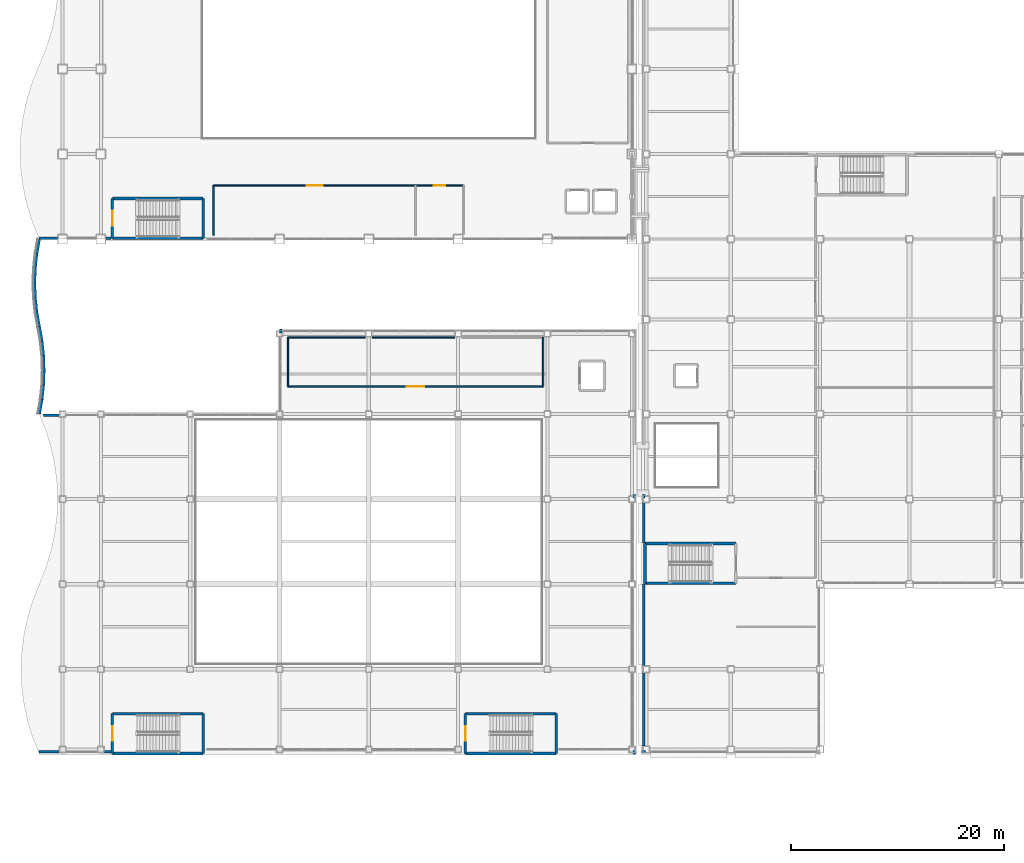
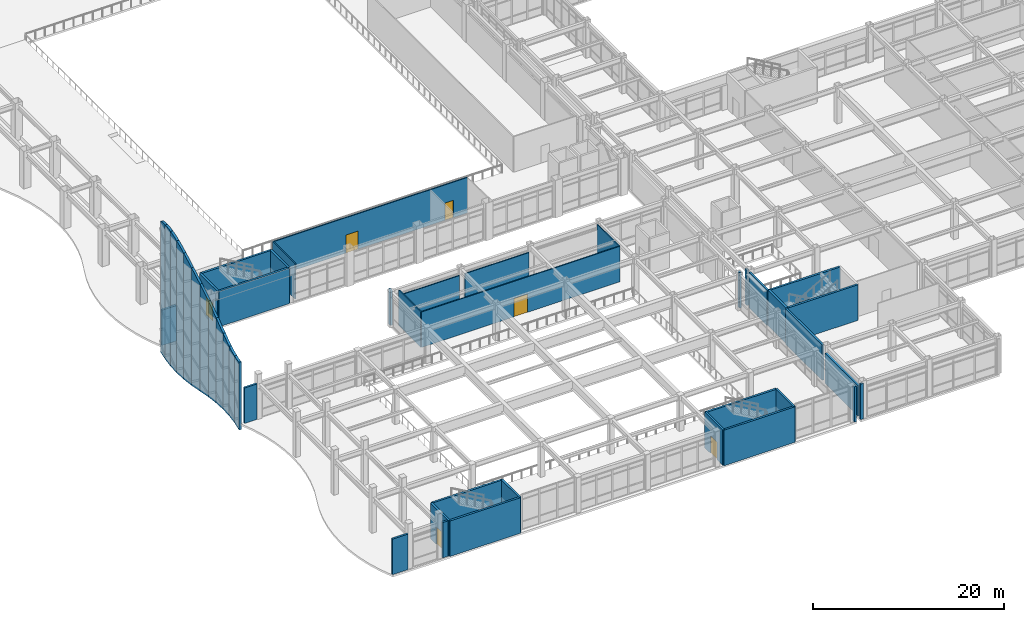
# One storey, part 142 of 172: 47 walls, 6 doors, 6 openings.
"""IFC4 building model written with IfcOpenShell, lengths in metres."""

from ifc_helpers import new_model, si_unit, direction, frame, frame_2d, origin, place, context, subcontext, project, spatial, polyline, rectangle, outline, extrude, material, layer, layer_set, type_object, element, fill, save


model = new_model("IFC4")

# Units and contexts
model_context = context("Model", 3, precision=1e-05, world=origin(), true_north=direction((0.0, 1.0)))
body_context = subcontext(model_context, "Body", "Model", "MODEL_VIEW")
ifc_project = project(units=[si_unit("LENGTHUNIT", "METRE"), si_unit("AREAUNIT", "SQUARE_METRE"), si_unit("VOLUMEUNIT", "CUBIC_METRE"), si_unit("PLANEANGLEUNIT", "RADIAN"), si_unit("MASSUNIT", "GRAM", prefix="KILO")], contexts=[model_context])

# Site, building, storey
site_placement = place(None, origin())
site = spatial("IfcSite", under=ifc_project, at=site_placement, CompositionType="ELEMENT")
building_placement = place(site_placement, origin())
building = spatial("IfcBuilding", under=site, at=building_placement, Name="Kazehara Bluff Congress Hotel", CompositionType="ELEMENT")
storey_placement = place(building_placement, frame((0.0, 0.0, 5.39990234375)))
storey = spatial("IfcBuildingStorey", under=building, at=storey_placement, Name="L01", CompositionType="ELEMENT", Elevation=5.39990234375)

# Wall, opening, door
ifc_material_1 = material(Name="Concrete C40/50", Category="concrete")
ifc_layer_1 = layer(ifc_material_1, 0.25)
ifc_layer_set_1 = layer_set([ifc_layer_1], Name="Concrete C40/50")
wall_type_1 = type_object("IfcWallType", Name="TP-CW-RC", PredefinedType="SHEAR", material=ifc_layer_set_1)
wall_1_placement = place(storey_placement, frame((9.47509765625, 48.52490234375, 0.0), z_axis=(0.0, 0.0, 1.0), x_axis=(0.0, 1.0, 0.0)))
wall_1 = element("IfcWall", 1, at=wall_1_placement, inside=storey, type_object=wall_type_1, Name="L01 ST-03 core wall near", PredefinedType="SHEAR", context=body_context, shape_type="SweptSolid", body=[
    extrude(rectangle(XDim=3.75, YDim=0.25, at=frame_2d((1.875, 0.0))), origin(), (0.0, 0.0, 1.0), 4.550048828125),
])
opening_1_placement = place(wall_1_placement, frame((1.175048828125, 0.0, 0.0)))
opening_1 = element("IfcOpeningElement", 2, at=opening_1_placement, cuts=wall_1, Name="Opening FD-03", PredefinedType="OPENING", context=body_context, shape_type="SweptSolid", body=[
    extrude(rectangle(XDim=1.39990234375, YDim=2.25, at=frame_2d((0.699951171875, 1.125))), frame((0.0, 0.135009765625, 0.0), z_axis=(0.0, -1.0, 0.0), x_axis=(1.0, 0.0, 0.0)), (0.0, 0.0, 1.0), 0.27001953125),
])
ifc_material_2 = material(Name="Fire-rated painted steel leaf", Category="steel")
door_type_1 = type_object("IfcDoorType", Name="TP-FD-03", OperationType="NOTDEFINED", PredefinedType="DOOR", material=ifc_material_2)
door_1_placement = place(opening_1_placement, origin())
door_1 = element("IfcDoor", 3, at=door_1_placement, inside=storey, type_object=door_type_1, Name="L01 ST-03 fire stair door", OperationType="SINGLE_SWING_RIGHT", OverallHeight=2.25, OverallWidth=1.39990234375, PredefinedType="DOOR", context=body_context, shape_type="SweptSolid", body=[
    extrude(rectangle(XDim=1.39990234375, YDim=2.25, at=frame_2d((0.699951171875, 1.125))), frame((0.0, 0.02490234375, 0.0), z_axis=(0.0, -1.0, 0.0), x_axis=(1.0, 0.0, 0.0)), (0.0, 0.0, 1.0), 0.050048828125),
])
fill(opening_1, door_1)

# Walls
wall_2_placement = place(storey_placement, frame((18.02490234375, 52.27490234375, 0.0), z_axis=(0.0, 0.0, 1.0), x_axis=(0.0, -1.0, 0.0)))
element("IfcWall", 4, at=wall_2_placement, inside=storey, type_object=wall_type_1, Name="L01 ST-03 core wall far", PredefinedType="SHEAR", context=body_context, shape_type="SweptSolid", body=[
    extrude(rectangle(XDim=3.75, YDim=0.25, at=frame_2d((1.875, 0.0))), origin(), (0.0, 0.0, 1.0), 4.550048828125),
])
for number, where, z_axis, x_axis, name in (
    (5, (18.02490234375, 48.52490234375, 0.0), (0.0, 0.0, 1.0), (-1.0, 0.0, 0.0), "L01 ST-03 core wall left"),
    (6, (9.47509765625, 52.27490234375, 0.0), (0.0, 0.0, 1.0), (1.0, 0.0, 0.0), "L01 ST-03 core wall right"),
):
    element("IfcWall", number, at=place(storey_placement, frame(where, z_axis=z_axis, x_axis=x_axis)), inside=storey, type_object=wall_type_1, Name=name, PredefinedType="SHEAR", context=body_context, shape_type="SweptSolid", body=[
        extrude(rectangle(XDim=8.5498046875, YDim=0.25, at=frame_2d((4.27490234375, 0.0))), origin(), (0.0, 0.0, 1.0), 4.550048828125),
    ])

# Wall, opening, door
wall_3_placement = place(storey_placement, frame((9.47509765625, 0.074951171875, 0.0), z_axis=(0.0, 0.0, 1.0), x_axis=(0.0, 1.0, 0.0)))
wall_3 = element("IfcWall", 7, at=wall_3_placement, inside=storey, type_object=wall_type_1, Name="L01 ST-04 core wall near", PredefinedType="SHEAR", context=body_context, shape_type="SweptSolid", body=[
    extrude(rectangle(XDim=3.75, YDim=0.25, at=frame_2d((1.875, 0.0))), origin(), (0.0, 0.0, 1.0), 4.550048828125),
])
opening_2_placement = place(wall_3_placement, frame((1.175048828125, 0.0, 0.0)))
opening_2 = element("IfcOpeningElement", 8, at=opening_2_placement, cuts=wall_3, Name="Opening FD-03", PredefinedType="OPENING", context=body_context, shape_type="SweptSolid", body=[
    extrude(rectangle(XDim=1.39990234375, YDim=2.25, at=frame_2d((0.699951171875, 1.125))), frame((0.0, 0.135009765625, 0.0), z_axis=(0.0, -1.0, 0.0), x_axis=(1.0, 0.0, 0.0)), (0.0, 0.0, 1.0), 0.27001953125),
])
door_2_placement = place(opening_2_placement, origin())
door_2 = element("IfcDoor", 9, at=door_2_placement, inside=storey, type_object=door_type_1, Name="L01 ST-04 fire stair door", OperationType="SINGLE_SWING_LEFT", OverallHeight=2.25, OverallWidth=1.39990234375, PredefinedType="DOOR", context=body_context, shape_type="SweptSolid", body=[
    extrude(rectangle(XDim=1.39990234375, YDim=2.25, at=frame_2d((0.699951171875, 1.125))), frame((0.0, 0.02490234375, 0.0), z_axis=(0.0, -1.0, 0.0), x_axis=(1.0, 0.0, 0.0)), (0.0, 0.0, 1.0), 0.050048828125),
])
fill(opening_2, door_2)

# Walls
wall_4_placement = place(storey_placement, frame((18.02490234375, 3.824951171875, 0.0), z_axis=(0.0, 0.0, 1.0), x_axis=(0.0, -1.0, 0.0)))
element("IfcWall", 10, at=wall_4_placement, inside=storey, type_object=wall_type_1, Name="L01 ST-04 core wall far", PredefinedType="SHEAR", context=body_context, shape_type="SweptSolid", body=[
    extrude(rectangle(XDim=3.75, YDim=0.25, at=frame_2d((1.875, 0.0))), origin(), (0.0, 0.0, 1.0), 4.550048828125),
])
for number, where, z_axis, x_axis, name in (
    (11, (18.02490234375, 0.074951171875, 0.0), (0.0, 0.0, 1.0), (-1.0, 0.0, 0.0), "L01 ST-04 core wall left"),
    (12, (9.47509765625, 3.824951171875, 0.0), (0.0, 0.0, 1.0), (1.0, 0.0, 0.0), "L01 ST-04 core wall right"),
):
    element("IfcWall", number, at=place(storey_placement, frame(where, z_axis=z_axis, x_axis=x_axis)), inside=storey, type_object=wall_type_1, Name=name, PredefinedType="SHEAR", context=body_context, shape_type="SweptSolid", body=[
        extrude(rectangle(XDim=8.5498046875, YDim=0.25, at=frame_2d((4.27490234375, 0.0))), origin(), (0.0, 0.0, 1.0), 4.550048828125),
    ])

# Wall, opening, door
wall_5_placement = place(storey_placement, frame((42.675048828125, 0.074951171875, 0.0), z_axis=(0.0, 0.0, 1.0), x_axis=(0.0, 1.0, 0.0)))
wall_5 = element("IfcWall", 13, at=wall_5_placement, inside=storey, type_object=wall_type_1, Name="L01 ST-05 core wall near", PredefinedType="SHEAR", context=body_context, shape_type="SweptSolid", body=[
    extrude(rectangle(XDim=3.75, YDim=0.25, at=frame_2d((1.875, 0.0))), origin(), (0.0, 0.0, 1.0), 4.550048828125),
])
opening_3_placement = place(wall_5_placement, frame((1.175048828125, 0.0, 0.0)))
opening_3 = element("IfcOpeningElement", 14, at=opening_3_placement, cuts=wall_5, Name="Opening FD-03", PredefinedType="OPENING", context=body_context, shape_type="SweptSolid", body=[
    extrude(rectangle(XDim=1.39990234375, YDim=2.25, at=frame_2d((0.699951171875, 1.125))), frame((0.0, 0.135009765625, 0.0), z_axis=(0.0, -1.0, 0.0), x_axis=(1.0, 0.0, 0.0)), (0.0, 0.0, 1.0), 0.27001953125),
])
door_3_placement = place(opening_3_placement, origin())
door_3 = element("IfcDoor", 15, at=door_3_placement, inside=storey, type_object=door_type_1, Name="L01 ST-05 fire stair door", OperationType="SINGLE_SWING_LEFT", OverallHeight=2.25, OverallWidth=1.39990234375, PredefinedType="DOOR", context=body_context, shape_type="SweptSolid", body=[
    extrude(rectangle(XDim=1.39990234375, YDim=2.25, at=frame_2d((0.699951171875, 1.125))), frame((0.0, 0.02490234375, 0.0), z_axis=(0.0, -1.0, 0.0), x_axis=(1.0, 0.0, 0.0)), (0.0, 0.0, 1.0), 0.050048828125),
])
fill(opening_3, door_3)

# Walls
wall_6_placement = place(storey_placement, frame((51.22509765625, 3.824951171875, 0.0), z_axis=(0.0, 0.0, 1.0), x_axis=(0.0, -1.0, 0.0)))
element("IfcWall", 16, at=wall_6_placement, inside=storey, type_object=wall_type_1, Name="L01 ST-05 core wall far", PredefinedType="SHEAR", context=body_context, shape_type="SweptSolid", body=[
    extrude(rectangle(XDim=3.75, YDim=0.25, at=frame_2d((1.875, 0.0))), origin(), (0.0, 0.0, 1.0), 4.550048828125),
])
for number, where, z_axis, x_axis, name in (
    (17, (51.22509765625, 0.074951171875, 0.0), (0.0, 0.0, 1.0), (-1.0, 0.0, 0.0), "L01 ST-05 core wall left"),
    (18, (42.675048828125, 3.824951171875, 0.0), (0.0, 0.0, 1.0), (1.0, 0.0, 0.0), "L01 ST-05 core wall right"),
):
    element("IfcWall", number, at=place(storey_placement, frame(where, z_axis=z_axis, x_axis=x_axis)), inside=storey, type_object=wall_type_1, Name=name, PredefinedType="SHEAR", context=body_context, shape_type="SweptSolid", body=[
        extrude(rectangle(XDim=8.550048828125, YDim=0.25, at=frame_2d((4.27490234375, 0.0))), origin(), (0.0, 0.0, 1.0), 4.550048828125),
    ])
wall_7_placement = place(storey_placement, frame((59.574951171875, 16.074951171875, 0.0), z_axis=(0.0, 0.0, 1.0), x_axis=(0.0, 1.0, 0.0)))
element("IfcWall", 19, at=wall_7_placement, inside=storey, type_object=wall_type_1, Name="L01 ST-08 core wall far", PredefinedType="SHEAR", context=body_context, shape_type="SweptSolid", body=[
    extrude(rectangle(XDim=3.75, YDim=0.25, at=frame_2d((1.875, 0.0))), origin(), (0.0, 0.0, 1.0), 4.550048828125),
])
for number, where, z_axis, x_axis, name in (
    (20, (59.574951171875, 19.824951171875, 0.0), (0.0, 0.0, 1.0), (1.0, 0.0, 0.0), "L01 ST-08 core wall left"),
    (21, (68.125, 16.074951171875, 0.0), (0.0, 0.0, 1.0), (-1.0, 0.0, 0.0), "L01 ST-08 core wall right"),
):
    element("IfcWall", number, at=place(storey_placement, frame(where, z_axis=z_axis, x_axis=x_axis)), inside=storey, type_object=wall_type_1, Name=name, PredefinedType="SHEAR", context=body_context, shape_type="SweptSolid", body=[
        extrude(rectangle(XDim=8.550048828125, YDim=0.25, at=frame_2d((4.27490234375, 0.0))), origin(), (0.0, 0.0, 1.0), 4.550048828125),
    ])
ifc_material_3 = material(Name="Precast concrete C40/50", Category="concrete")
ifc_layer_2 = layer(ifc_material_3, 0.239990234375)
ifc_layer_set_2 = layer_set([ifc_layer_2], Name="Precast concrete C40/50")
wall_type_2 = type_object("IfcWallType", Name="TP-EW-240", PredefinedType="SOLIDWALL", material=ifc_layer_set_2)
wall_8_placement = place(storey_placement, frame((4.35009765625, 48.550048828125, 0.0), z_axis=(0.0, 0.0, 1.0), x_axis=(-1.0, 0.0, 0.0)))
element("IfcWall", 22, at=wall_8_placement, inside=storey, type_object=wall_type_2, Name="L01 V1 perimeter spandrel pier 563", PredefinedType="SOLIDWALL", context=body_context, shape_type="SweptSolid", body=[
    extrude(rectangle(XDim=1.75, YDim=0.239990234375, at=frame_2d((0.875, 0.0))), origin(), (0.0, 0.0, 1.0), 4.53515625),
])
wall_9_placement = place(storey_placement, frame((9.340087890625, 48.550048828125, 0.0), z_axis=(0.0, 0.0, 1.0), x_axis=(-1.0, 0.0, 0.0)))
element("IfcWall", 23, at=wall_9_placement, inside=storey, type_object=wall_type_2, Name="L01 V1 perimeter spandrel pier 564", PredefinedType="SOLIDWALL", context=body_context, shape_type="SweptSolid", body=[
    extrude(rectangle(XDim=0.489990234375, YDim=0.239990234375, at=frame_2d((0.2451171875, 0.0))), origin(), (0.0, 0.0, 1.0), 3.525146484375),
])
wall_10_placement = place(storey_placement, frame((58.580078125, 0.360107421875, 0.0), z_axis=(0.0, 0.0, 1.0), x_axis=(0.0, -1.0, 0.0)))
element("IfcWall", 24, at=wall_10_placement, inside=storey, type_object=wall_type_2, Name="L01 V2 perimeter spandrel pier 565", PredefinedType="SOLIDWALL", context=body_context, shape_type="SweptSolid", body=[
    extrude(rectangle(XDim=0.360107421875, YDim=0.239990234375, at=frame_2d((0.18017578125, 0.0))), origin(), (0.0, 0.0, 1.0), 4.53515625),
])
wall_11_placement = place(storey_placement, frame((58.580078125, 24.449951171875, 0.0), z_axis=(0.0, 0.0, 1.0), x_axis=(0.0, -1.0, 0.0)))
element("IfcWall", 25, at=wall_11_placement, inside=storey, type_object=wall_type_2, Name="L01 V2 perimeter spandrel pier 566", PredefinedType="SOLIDWALL", context=body_context, shape_type="SweptSolid", body=[
    extrude(rectangle(XDim=0.35986328125, YDim=0.239990234375, at=frame_2d((0.179931640625, 0.0))), origin(), (0.0, 0.0, 1.0), 4.53515625),
])
wall_12_placement = place(storey_placement, frame((25.300048828125, 39.639892578125, 0.0), z_axis=(0.0, 0.0, 1.0), x_axis=(0.0, 1.0, 0.0)))
element("IfcWall", 26, at=wall_12_placement, inside=storey, type_object=wall_type_2, Name="L01 V2 perimeter spandrel pier 570", PredefinedType="SOLIDWALL", context=body_context, shape_type="SweptSolid", body=[
    extrude(rectangle(XDim=0.360107421875, YDim=0.239990234375, at=frame_2d((0.18017578125, 0.0))), origin(), (0.0, 0.0, 1.0), 4.53515625),
])
wall_13_placement = place(storey_placement, frame((3.010009765625, 31.89990234375, 0.0), z_axis=(0.0, 0.0, 1.0), x_axis=(1.0, 0.0, 0.0)))
element("IfcWall", 27, at=wall_13_placement, inside=storey, type_object=wall_type_2, Name="L01 V2 perimeter spandrel pier 571", PredefinedType="SOLIDWALL", context=body_context, shape_type="SweptSolid", body=[
    extrude(rectangle(XDim=1.489990234375, YDim=0.239990234375, at=frame_2d((0.7451171875, 0.0))), origin(), (0.0, 0.0, 1.0), 4.53515625),
])
wall_14_placement = place(storey_placement, frame((4.5, 0.219970703125, 0.0), z_axis=(0.0, 0.0, 1.0), x_axis=(-1.0, 0.0, 0.0)))
element("IfcWall", 28, at=wall_14_placement, inside=storey, type_object=wall_type_2, Name="L01 V2 perimeter spandrel pier 572", PredefinedType="SOLIDWALL", context=body_context, shape_type="SweptSolid", body=[
    extrude(rectangle(XDim=1.89990234375, YDim=0.239990234375, at=frame_2d((0.949951171875, 0.0))), origin(), (0.0, 0.0, 1.0), 4.53515625),
])
wall_15_placement = place(storey_placement, frame((9.340087890625, 0.219970703125, 0.0), z_axis=(0.0, 0.0, 1.0), x_axis=(-1.0, 0.0, 0.0)))
element("IfcWall", 29, at=wall_15_placement, inside=storey, type_object=wall_type_2, Name="L01 V2 perimeter spandrel pier 573", PredefinedType="SOLIDWALL", context=body_context, shape_type="SweptSolid", body=[
    extrude(rectangle(XDim=0.64013671875, YDim=0.239990234375, at=frame_2d((0.320068359375, 0.0))), origin(), (0.0, 0.0, 1.0), 4.53515625),
])
wall_16_placement = place(storey_placement, frame((59.610107421875, 0.219970703125, 0.0), z_axis=(0.0, 0.0, 1.0), x_axis=(-1.0, 0.0, 0.0)))
element("IfcWall", 30, at=wall_16_placement, inside=storey, type_object=wall_type_2, Name="L01 V4 perimeter spandrel pier 584", PredefinedType="SOLIDWALL", context=body_context, shape_type="SweptSolid", body=[
    extrude(rectangle(XDim=0.360107421875, YDim=0.239990234375, at=frame_2d((0.18017578125, 0.0))), origin(), (0.0, 0.0, 1.0), 4.53515625),
])
wall_17_placement = place(storey_placement, frame((59.469970703125, 0.77490234375, 0.0), z_axis=(0.0, 0.0, 1.0), x_axis=(0.0, 1.0, 0.0)))
element("IfcWall", 31, at=wall_17_placement, inside=storey, type_object=wall_type_2, Name="L01 V4 perimeter spandrel pier 602", PredefinedType="SOLIDWALL", context=body_context, shape_type="SweptSolid", body=[
    extrude(rectangle(XDim=6.900146484375, YDim=0.239990234375, at=frame_2d((3.4501953125, 0.0))), origin(), (0.0, 0.0, 1.0), 3.875),
])
wall_18_placement = place(storey_placement, frame((59.469970703125, 8.324951171875, 0.0), z_axis=(0.0, 0.0, 1.0), x_axis=(0.0, 1.0, 0.0)))
element("IfcWall", 32, at=wall_18_placement, inside=storey, type_object=wall_type_2, Name="L01 V4 perimeter spandrel pier 603", PredefinedType="SOLIDWALL", context=body_context, shape_type="SweptSolid", body=[
    extrude(rectangle(XDim=7.7099609375, YDim=0.239990234375, at=frame_2d((3.85498046875, 0.0))), origin(), (0.0, 0.0, 1.0), 4.53515625),
])
wall_19_placement = place(storey_placement, frame((59.469970703125, 19.864990234375, 0.0), z_axis=(0.0, 0.0, 1.0), x_axis=(0.0, 1.0, 0.0)))
element("IfcWall", 33, at=wall_19_placement, inside=storey, type_object=wall_type_2, Name="L01 V4 perimeter spandrel pier 604", PredefinedType="SOLIDWALL", context=body_context, shape_type="SweptSolid", body=[
    extrude(rectangle(XDim=3.81005859375, YDim=0.239990234375, at=frame_2d((1.905029296875, 0.0))), origin(), (0.0, 0.0, 1.0), 4.53515625),
])
wall_20_placement = place(storey_placement, frame((59.469970703125, 24.090087890625, 0.0), z_axis=(0.0, 0.0, 1.0), x_axis=(0.0, 1.0, 0.0)))
element("IfcWall", 34, at=wall_20_placement, inside=storey, type_object=wall_type_2, Name="L01 V4 perimeter spandrel pier 605", PredefinedType="SOLIDWALL", context=body_context, shape_type="SweptSolid", body=[
    extrude(rectangle(XDim=0.35986328125, YDim=0.239990234375, at=frame_2d((0.179931640625, 0.0))), origin(), (0.0, 0.0, 1.0), 4.53515625),
])
ifc_material_4 = material(Name="Precast concrete C40/50", Category="concrete")
ifc_layer_3 = layer(ifc_material_4, 0.280029296875)
ifc_layer_set_3 = layer_set([ifc_layer_3], Name="Precast concrete C40/50")
wall_type_3 = type_object("IfcWallType", Name="TP-EW-280", PredefinedType="SOLIDWALL", material=ifc_layer_set_3)
wall_21_placement = place(storey_placement, frame((2.60009765625, 32.0, -0.7998046875), z_axis=(0.0, 0.0, 1.0), x_axis=(0.175936341867, 0.98440154592, 0.0)))
element("IfcWall", 35, at=wall_21_placement, inside=storey, type_object=wall_type_3, Name="Wave ribbon wall WR-BRG chord 1", PredefinedType="SOLIDWALL", context=body_context, shape_type="SweptSolid", body=[
    extrude(outline(polyline([(0.0, 0.0), (1.391845703125, 0.0), (1.389892578125, 8.56494140625), (1.215087890625, 8.5498046875), (1.0400390625, 8.544921875), (0.8701171875, 8.5498046875), (0.695068359375, 8.559814453125), (0.52001953125, 8.579833984375), (0.35009765625, 8.60498046875), (0.175048828125, 8.639892578125), (0.0, 8.684814453125), (0.0, 0.0)])), frame((0.0, 0.14013671875, 0.0), z_axis=(0.0, -1.0, 0.0), x_axis=(1.0, 0.0, 0.0)), (0.0, 0.0, 1.0), 0.280029296875),
])
wall_22_placement = place(storey_placement, frame((2.844970703125, 33.3701171875, -0.7998046875), z_axis=(0.0, 0.0, 1.0), x_axis=(0.105275212349, 0.994443125405, 0.0)))
element("IfcWall", 36, at=wall_22_placement, inside=storey, type_object=wall_type_3, Name="Wave ribbon wall WR-BRG chord 2", PredefinedType="SOLIDWALL", context=body_context, shape_type="SweptSolid", body=[
    extrude(outline(polyline([(0.0, 0.0), (1.37744140625, 0.0), (1.3798828125, 8.934814453125), (1.2099609375, 8.85986328125), (1.034912109375, 8.7998046875), (0.860107421875, 8.739990234375), (0.68994140625, 8.68994140625), (0.514892578125, 8.64501953125), (0.344970703125, 8.60986328125), (0.169921875, 8.5849609375), (0.0, 8.56494140625), (0.0, 0.0)])), frame((0.0, 0.14013671875, 0.0), z_axis=(0.0, -1.0, 0.0), x_axis=(1.0, 0.0, 0.0)), (0.0, 0.0, 1.0), 0.280029296875),
])
wall_23_placement = place(storey_placement, frame((2.989990234375, 34.739990234375, -0.7998046875), z_axis=(0.0, 0.0, 1.0), x_axis=(0.036504519782, 0.999333487899, 0.0)))
element("IfcWall", 37, at=wall_23_placement, inside=storey, type_object=wall_type_3, Name="Wave ribbon wall WR-BRG chord 3", PredefinedType="SOLIDWALL", context=body_context, shape_type="SweptSolid", body=[
    extrude(outline(polyline([(0.0, 0.0), (1.37109375, 0.0), (1.3701171875, 9.739990234375), (1.199951171875, 9.619873046875), (1.030029296875, 9.5048828125), (0.85498046875, 9.39501953125), (0.68505859375, 9.289794921875), (0.514892578125, 9.18994140625), (0.340087890625, 9.099853515625), (0.169921875, 9.014892578125), (0.0, 8.934814453125), (0.0, 0.0)])), frame((0.0, 0.14013671875, 0.0), z_axis=(0.0, -1.0, 0.0), x_axis=(1.0, 0.0, 0.0)), (0.0, 0.0, 1.0), 0.280029296875),
])
wall_24_placement = place(storey_placement, frame((3.0400390625, 36.110107421875, -0.7998046875), z_axis=(0.0, 0.0, 1.0), x_axis=(-0.036375059083, 0.999338208554, 0.0)))
element("IfcWall", 38, at=wall_24_placement, inside=storey, type_object=wall_type_3, Name="Wave ribbon wall WR-BRG chord 4", PredefinedType="SOLIDWALL", context=body_context, shape_type="SweptSolid", body=[
    extrude(outline(polyline([(0.0, 0.0), (1.3759765625, 0.0), (1.375, 10.89990234375), (1.205078125, 10.739990234375), (1.030029296875, 10.5849609375), (0.860107421875, 10.429931640625), (0.68994140625, 10.284912109375), (0.514892578125, 10.139892578125), (0.344970703125, 10.0048828125), (0.169921875, 9.869873046875), (0.0, 9.739990234375), (0.0, 0.0)])), frame((0.0, 0.14013671875, 0.0), z_axis=(0.0, -1.0, 0.0), x_axis=(1.0, 0.0, 0.0)), (0.0, 0.0, 1.0), 0.280029296875),
])
wall_25_placement = place(storey_placement, frame((2.989990234375, 37.485107421875, -0.7998046875), z_axis=(0.0, 0.0, 1.0), x_axis=(-0.105275212349, 0.994443125405, 0.0)))
element("IfcWall", 39, at=wall_25_placement, inside=storey, type_object=wall_type_3, Name="Wave ribbon wall WR-BRG chord 5", PredefinedType="SOLIDWALL", context=body_context, shape_type="SweptSolid", body=[
    extrude(outline(polyline([(0.0, 0.0), (1.37744140625, 0.0), (1.3798828125, 12.264892578125), (1.2099609375, 12.08984375), (1.034912109375, 11.914794921875), (0.860107421875, 11.739990234375), (0.68994140625, 11.56494140625), (0.514892578125, 11.39501953125), (0.344970703125, 11.224853515625), (0.169921875, 11.059814453125), (0.0, 10.89990234375), (0.0, 0.0)])), frame((0.0, 0.14013671875, 0.0), z_axis=(0.0, -1.0, 0.0), x_axis=(1.0, 0.0, 0.0)), (0.0, 0.0, 1.0), 0.280029296875),
])
wall_26_placement = place(storey_placement, frame((2.844970703125, 38.85498046875, -0.7998046875), z_axis=(0.0, 0.0, 1.0), x_axis=(-0.175936341867, 0.98440154592, 0.0)))
element("IfcWall", 40, at=wall_26_placement, inside=storey, type_object=wall_type_3, Name="Wave ribbon wall WR-BRG chord 6", PredefinedType="SOLIDWALL", context=body_context, shape_type="SweptSolid", body=[
    extrude(outline(polyline([(0.0, 0.0), (1.391845703125, 0.0), (1.389892578125, 13.699951171875), (1.215087890625, 13.52490234375), (1.0400390625, 13.344970703125), (0.8701171875, 13.164794921875), (0.695068359375, 12.98486328125), (0.52001953125, 12.804931640625), (0.35009765625, 12.625), (0.175048828125, 12.44482421875), (0.0, 12.264892578125), (0.0, 0.0)])), frame((0.0, 0.14013671875, 0.0), z_axis=(0.0, -1.0, 0.0), x_axis=(1.0, 0.0, 0.0)), (0.0, 0.0, 1.0), 0.280029296875),
])
wall_27_placement = place(storey_placement, frame((2.60009765625, 40.22509765625, -0.7998046875), z_axis=(0.0, 0.0, 1.0), x_axis=(-0.176136726802, 0.984365711243, 0.0)))
element("IfcWall", 41, at=wall_27_placement, inside=storey, type_object=wall_type_3, Name="Wave ribbon wall WR-BRG chord 7", PredefinedType="SOLIDWALL", context=body_context, shape_type="SweptSolid", body=[
    extrude(outline(polyline([(0.0, 0.0), (1.3916015625, 0.0), (1.389892578125, 15.034912109375), (1.215087890625, 14.8798828125), (1.0400390625, 14.719970703125), (0.8701171875, 14.554931640625), (0.695068359375, 14.389892578125), (0.52001953125, 14.219970703125), (0.35009765625, 14.0498046875), (0.175048828125, 13.875), (0.0, 13.699951171875), (0.0, 0.0)])), frame((0.0, 0.14013671875, 0.0), z_axis=(0.0, -1.0, 0.0), x_axis=(1.0, 0.0, 0.0)), (0.0, 0.0, 1.0), 0.280029296875),
])
wall_28_placement = place(storey_placement, frame((2.35498046875, 41.594970703125, -0.7998046875), z_axis=(0.0, 0.0, 1.0), x_axis=(-0.10525666125, 0.994445089114, 0.0)))
element("IfcWall", 42, at=wall_28_placement, inside=storey, type_object=wall_type_3, Name="Wave ribbon wall WR-BRG chord 8", PredefinedType="SOLIDWALL", context=body_context, shape_type="SweptSolid", body=[
    extrude(outline(polyline([(0.0, 0.0), (1.377685546875, 0.0), (1.3798828125, 16.1298828125), (1.2099609375, 16.010009765625), (1.034912109375, 15.885009765625), (0.860107421875, 15.7548828125), (0.68994140625, 15.619873046875), (0.514892578125, 15.47998046875), (0.344970703125, 15.3349609375), (0.169921875, 15.18994140625), (0.0, 15.034912109375), (0.0, 0.0)])), frame((0.0, 0.14013671875, 0.0), z_axis=(0.0, -1.0, 0.0), x_axis=(1.0, 0.0, 0.0)), (0.0, 0.0, 1.0), 0.280029296875),
])
wall_29_placement = place(storey_placement, frame((2.2099609375, 42.965087890625, -0.7998046875), z_axis=(0.0, 0.0, 1.0), x_axis=(-0.036375059083, 0.999338208554, 0.0)))
element("IfcWall", 43, at=wall_29_placement, inside=storey, type_object=wall_type_3, Name="Wave ribbon wall WR-BRG chord 9", PredefinedType="SOLIDWALL", context=body_context, shape_type="SweptSolid", body=[
    extrude(outline(polyline([(0.0, 0.0), (1.3759765625, 0.0), (1.375, 16.885009765625), (1.205078125, 16.81494140625), (1.030029296875, 16.73486328125), (0.860107421875, 16.64990234375), (0.68994140625, 16.554931640625), (0.514892578125, 16.4599609375), (0.344970703125, 16.35498046875), (0.169921875, 16.244873046875), (0.0, 16.1298828125), (0.0, 0.0)])), frame((0.0, 0.14013671875, 0.0), z_axis=(0.0, -1.0, 0.0), x_axis=(1.0, 0.0, 0.0)), (0.0, 0.0, 1.0), 0.280029296875),
])
wall_30_placement = place(storey_placement, frame((2.159912109375, 44.340087890625, -0.7998046875), z_axis=(0.0, 0.0, 1.0), x_axis=(0.036511016995, 0.999333250542, 0.0)))
element("IfcWall", 44, at=wall_30_placement, inside=storey, type_object=wall_type_3, Name="Wave ribbon wall WR-BRG chord 10", PredefinedType="SOLIDWALL", context=body_context, shape_type="SweptSolid", body=[
    extrude(outline(polyline([(0.0, 0.0), (1.370849609375, 0.0), (1.3701171875, 17.244873046875), (1.199951171875, 17.224853515625), (1.030029296875, 17.19482421875), (0.85498046875, 17.159912109375), (0.68505859375, 17.119873046875), (0.514892578125, 17.06982421875), (0.340087890625, 17.014892578125), (0.169921875, 16.954833984375), (0.0, 16.885009765625), (0.0, 0.0)])), frame((0.0, 0.14013671875, 0.0), z_axis=(0.0, -1.0, 0.0), x_axis=(1.0, 0.0, 0.0)), (0.0, 0.0, 1.0), 0.280029296875),
])
wall_31_placement = place(storey_placement, frame((2.2099609375, 45.7099609375, -0.7998046875), z_axis=(0.0, 0.0, 1.0), x_axis=(0.10525666125, 0.994445089114, 0.0)))
element("IfcWall", 45, at=wall_31_placement, inside=storey, type_object=wall_type_3, Name="Wave ribbon wall WR-BRG chord 11", PredefinedType="SOLIDWALL", context=body_context, shape_type="SweptSolid", body=[
    extrude(outline(polyline([(0.0, 0.0), (1.377685546875, 0.0), (1.3798828125, 17.19482421875), (1.2099609375, 17.224853515625), (1.034912109375, 17.244873046875), (0.860107421875, 17.260009765625), (0.68994140625, 17.27001953125), (0.514892578125, 17.27490234375), (0.344970703125, 17.27001953125), (0.169921875, 17.260009765625), (0.0, 17.244873046875), (0.0, 0.0)])), frame((0.0, 0.14013671875, 0.0), z_axis=(0.0, -1.0, 0.0), x_axis=(1.0, 0.0, 0.0)), (0.0, 0.0, 1.0), 0.280029296875),
])
wall_32_placement = place(storey_placement, frame((2.35498046875, 47.080078125, -0.7998046875), z_axis=(0.0, 0.0, 1.0), x_axis=(0.176136726802, 0.984365711243, 0.0)))
element("IfcWall", 46, at=wall_32_placement, inside=storey, type_object=wall_type_3, Name="Wave ribbon wall WR-BRG chord 12", PredefinedType="SOLIDWALL", context=body_context, shape_type="SweptSolid", body=[
    extrude(outline(polyline([(0.0, 0.0), (1.3916015625, 0.0), (1.389892578125, 16.764892578125), (1.215087890625, 16.83984375), (1.0400390625, 16.90478515625), (0.8701171875, 16.969970703125), (0.695068359375, 17.02490234375), (0.52001953125, 17.074951171875), (0.35009765625, 17.125), (0.175048828125, 17.164794921875), (0.0, 17.19482421875), (0.0, 0.0)])), frame((0.0, 0.14013671875, 0.0), z_axis=(0.0, -1.0, 0.0), x_axis=(1.0, 0.0, 0.0)), (0.0, 0.0, 1.0), 0.280029296875),
])

# Wall, opening, door
ifc_material_5 = material(Name="Fire-rated gypsum board stud partition")
ifc_layer_4 = layer(ifc_material_5, 0.1298828125)
ifc_layer_set_4 = layer_set([ifc_layer_4], Name="Fire-rated gypsum board stud partition")
wall_type_4 = type_object("IfcWallType", Name="TP-PT-130", PredefinedType="PARTITIONING", material=ifc_layer_set_4)
wall_33_placement = place(storey_placement, frame((26.0, 34.60009765625, 0.0), z_axis=(0.0, 0.0, 1.0), x_axis=(1.0, 0.0, 0.0)))
wall_33 = element("IfcWall", 47, at=wall_33_placement, inside=storey, type_object=wall_type_4, Name="L01 partition PT-130 142", PredefinedType="PARTITIONING", context=body_context, shape_type="SweptSolid", body=[
    extrude(rectangle(XDim=24.0, YDim=0.1298828125, at=frame_2d((12.0, 0.0))), origin(), (0.0, 0.0, 1.0), 4.53515625),
])
opening_4_placement = place(wall_33_placement, frame((11.175048828125, 0.0, 0.0)))
opening_4 = element("IfcOpeningElement", 48, at=opening_4_placement, cuts=wall_33, Name="Opening AD-04", PredefinedType="OPENING", context=body_context, shape_type="SweptSolid", body=[
    extrude(rectangle(XDim=1.64990234375, YDim=2.35009765625, at=frame_2d((0.824951171875, 1.175048828125))), frame((0.0, 0.074951171875, 0.0), z_axis=(0.0, -1.0, 0.0), x_axis=(1.0, 0.0, 0.0)), (0.0, 0.0, 1.0), 0.14990234375),
])
ifc_material_6 = material(Name="Architectural oak veneer leaf")
door_type_2 = type_object("IfcDoorType", Name="TP-AD-04", OperationType="DOUBLE_DOOR_SINGLE_SWING", PredefinedType="DOOR", material=ifc_material_6)
door_4_placement = place(opening_4_placement, origin())
door_4 = element("IfcDoor", 49, at=door_4_placement, inside=storey, type_object=door_type_2, Name="L01 Ballroom Bridal and VIP Suite door", OperationType="DOUBLE_DOOR_SINGLE_SWING", OverallHeight=2.35009765625, OverallWidth=1.64990234375, PredefinedType="DOOR", context=body_context, shape_type="SweptSolid", body=[
    extrude(rectangle(XDim=1.64990234375, YDim=2.35009765625, at=frame_2d((0.824951171875, 1.175048828125))), frame((0.0, 0.02490234375, 0.0), z_axis=(0.0, -1.0, 0.0), x_axis=(1.0, 0.0, 0.0)), (0.0, 0.0, 1.0), 0.050048828125),
])
fill(opening_4, door_4)

# Walls
wall_34_placement = place(storey_placement, frame((26.0, 39.199951171875, 0.0), z_axis=(0.0, 0.0, 1.0), x_axis=(1.0, 0.0, 0.0)))
element("IfcWall", 50, at=wall_34_placement, inside=storey, type_object=wall_type_4, Name="L01 partition PT-130 144", PredefinedType="PARTITIONING", context=body_context, shape_type="SweptSolid", body=[
    extrude(rectangle(XDim=7.280029296875, YDim=0.1298828125, at=frame_2d((3.64013671875, 0.0))), origin(), (0.0, 0.0, 1.0), 3.875),
])
wall_35_placement = place(storey_placement, frame((33.919921875, 39.199951171875, 0.0), z_axis=(0.0, 0.0, 1.0), x_axis=(1.0, 0.0, 0.0)))
element("IfcWall", 51, at=wall_35_placement, inside=storey, type_object=wall_type_4, Name="L01 partition PT-130 145", PredefinedType="PARTITIONING", context=body_context, shape_type="SweptSolid", body=[
    extrude(rectangle(XDim=7.760009765625, YDim=0.1298828125, at=frame_2d((3.8798828125, 0.0))), origin(), (0.0, 0.0, 1.0), 3.875),
])

# Wall, openings, doors
wall_36_placement = place(storey_placement, frame((19.0, 53.5, 0.0), z_axis=(0.0, 0.0, 1.0), x_axis=(1.0, 0.0, 0.0)))
wall_36 = element("IfcWall", 52, at=wall_36_placement, inside=storey, type_object=wall_type_4, Name="L01 partition PT-130 152", PredefinedType="PARTITIONING", context=body_context, shape_type="SweptSolid", body=[
    extrude(rectangle(XDim=23.5, YDim=0.1298828125, at=frame_2d((11.75, 0.0))), origin(), (0.0, 0.0, 1.0), 4.53515625),
])
opening_5_placement = place(wall_36_placement, frame((8.75, 0.0, 0.0)))
opening_5 = element("IfcOpeningElement", 53, at=opening_5_placement, cuts=wall_36, Name="Opening AD-01", PredefinedType="OPENING", context=body_context, shape_type="SweptSolid", body=[
    extrude(rectangle(XDim=1.5, YDim=2.300048828125, at=frame_2d((0.75, 1.14990234375))), frame((0.0, 0.074951171875, 0.0), z_axis=(0.0, -1.0, 0.0), x_axis=(1.0, 0.0, 0.0)), (0.0, 0.0, 1.0), 0.14990234375),
])
opening_6_placement = place(wall_36_placement, frame((20.72509765625, 0.0, 0.0)))
opening_6 = element("IfcOpeningElement", 54, at=opening_6_placement, cuts=wall_36, Name="Opening ID-02", PredefinedType="OPENING", context=body_context, shape_type="SweptSolid", body=[
    extrude(rectangle(XDim=1.050048828125, YDim=2.199951171875, at=frame_2d((0.52490234375, 1.10009765625))), frame((0.0, 0.074951171875, 0.0), z_axis=(0.0, -1.0, 0.0), x_axis=(1.0, 0.0, 0.0)), (0.0, 0.0, 1.0), 0.14990234375),
])
ifc_material_7 = material(Name="Architectural oak veneer leaf")
door_type_3 = type_object("IfcDoorType", Name="TP-AD-01", OperationType="DOUBLE_DOOR_SINGLE_SWING", PredefinedType="DOOR", material=ifc_material_7)
door_5_placement = place(opening_5_placement, origin())
door_5 = element("IfcDoor", 55, at=door_5_placement, inside=storey, type_object=door_type_3, Name="L01 Presidential Delegation Salon door", OperationType="DOUBLE_DOOR_SINGLE_SWING", OverallHeight=2.300048828125, OverallWidth=1.5, PredefinedType="DOOR", context=body_context, shape_type="SweptSolid", body=[
    extrude(rectangle(XDim=1.5, YDim=2.300048828125, at=frame_2d((0.75, 1.14990234375))), frame((0.0, 0.02490234375, 0.0), z_axis=(0.0, -1.0, 0.0), x_axis=(1.0, 0.0, 0.0)), (0.0, 0.0, 1.0), 0.050048828125),
])
fill(opening_5, door_5)
ifc_material_8 = material(Name="Architectural oak veneer leaf")
door_type_4 = type_object("IfcDoorType", Name="TP-ID-02", OperationType="NOTDEFINED", PredefinedType="DOOR", material=ifc_material_8)
door_6_placement = place(opening_6_placement, origin())
door_6 = element("IfcDoor", 56, at=door_6_placement, inside=storey, type_object=door_type_4, Name="L01 Congress Concourse Accessible WC door", OperationType="SINGLE_SWING_LEFT", OverallHeight=2.199951171875, OverallWidth=1.050048828125, PredefinedType="DOOR", context=body_context, shape_type="SweptSolid", body=[
    extrude(rectangle(XDim=1.050048828125, YDim=2.199951171875, at=frame_2d((0.52490234375, 1.10009765625))), frame((0.0, 0.02490234375, 0.0), z_axis=(0.0, -1.0, 0.0), x_axis=(1.0, 0.0, 0.0)), (0.0, 0.0, 1.0), 0.050048828125),
])
fill(opening_6, door_6)

# Walls
wall_37_placement = place(storey_placement, frame((19.0, 48.800048828125, 0.0), z_axis=(0.0, 0.0, 1.0), x_axis=(0.0, 1.0, 0.0)))
element("IfcWall", 57, at=wall_37_placement, inside=storey, type_object=wall_type_4, Name="L01 partition PT-130 162", PredefinedType="PARTITIONING", context=body_context, shape_type="SweptSolid", body=[
    extrude(rectangle(XDim=4.699951171875, YDim=0.1298828125, at=frame_2d((2.35009765625, 0.0))), origin(), (0.0, 0.0, 1.0), 4.53515625),
])
for number, where, z_axis, x_axis, name in (
    (58, (26.0, 34.60009765625, 0.0), (0.0, 0.0, 1.0), (0.0, 1.0, 0.0), "L01 partition PT-130 163"),
    (59, (50.0, 34.60009765625, 0.0), (0.0, 0.0, 1.0), (0.0, 1.0, 0.0), "L01 partition PT-130 166"),
):
    element("IfcWall", number, at=place(storey_placement, frame(where, z_axis=z_axis, x_axis=x_axis)), inside=storey, type_object=wall_type_4, Name=name, PredefinedType="PARTITIONING", context=body_context, shape_type="SweptSolid", body=[
        extrude(rectangle(XDim=4.599853515625, YDim=0.1298828125, at=frame_2d((2.2998046875, 0.0))), origin(), (0.0, 0.0, 1.0), 4.53515625),
    ])

save(model, "model.ifc")
